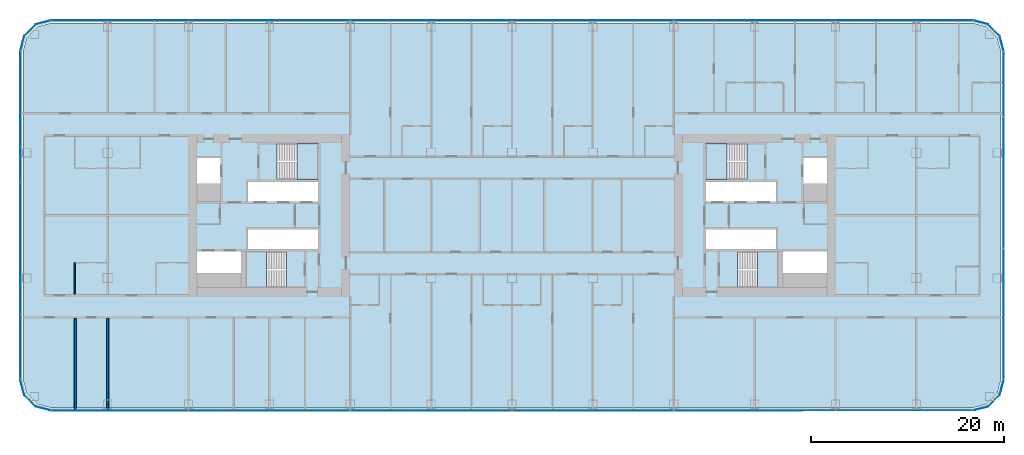
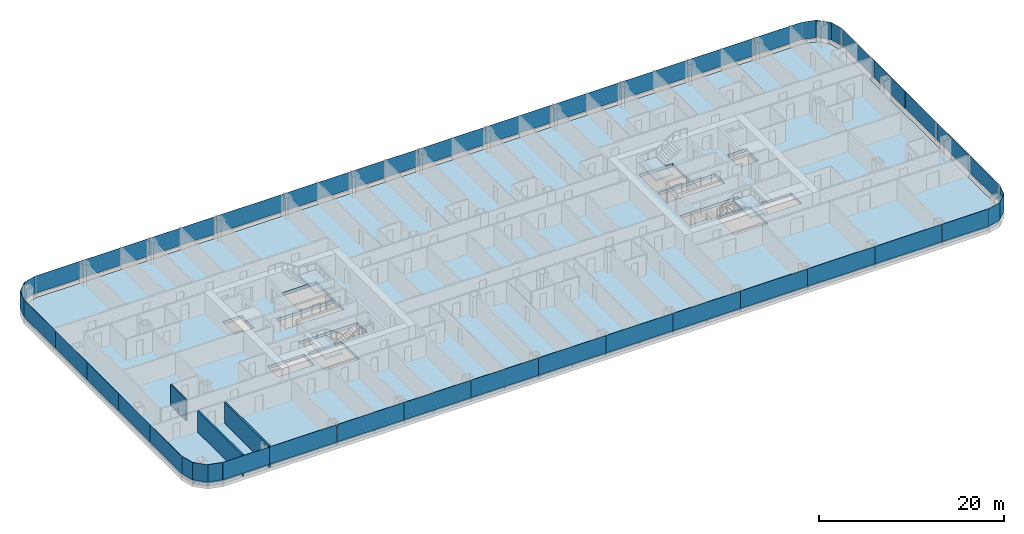
# One storey, part 12 of 28: 38 plates, 5 slabs, 3 walls, 12 elements without a shape of their own.
"""IFC4 building model written with IfcOpenShell, lengths in metres."""

from ifc_helpers import new_model, si_unit, direction, frame, frame_2d, origin, origin_2d, place, context, subcontext, project, spatial, polyline, rectangle, outline, extrude, material, layer, layer_set, type_object, element, aggregate, save


model = new_model("IFC4")

# Units and contexts
model_context = context("Model", 3, precision=1e-05, world=origin(), true_north=direction((0.0, 1.0)))
body_context = subcontext(model_context, "Body", "Model", "MODEL_VIEW")
ifc_project = project(units=[si_unit("LENGTHUNIT", "METRE"), si_unit("AREAUNIT", "SQUARE_METRE"), si_unit("VOLUMEUNIT", "CUBIC_METRE"), si_unit("PLANEANGLEUNIT", "RADIAN"), si_unit("MASSUNIT", "GRAM", prefix="KILO")], contexts=[model_context])

# Site, building, storey
site_placement = place(None, origin())
site = spatial("IfcSite", under=ifc_project, at=site_placement, CompositionType="ELEMENT")
building_placement = place(site_placement, origin())
building = spatial("IfcBuilding", under=site, at=building_placement, Name="Hakoniwa Tower and Hamabe Station Hall", CompositionType="ELEMENT")
storey_placement = place(building_placement, frame((0.0, 0.0, 48.60009765625)))
storey = spatial("IfcBuildingStorey", under=building, at=storey_placement, Name="L13", CompositionType="ELEMENT", Elevation=48.60009765625)

# Stair, slab
ifc_material_1 = material(Name="Concrete C40", Category="concrete")
stair_type = type_object("IfcStairType", Name="ESCAPE STAIR 1800", PredefinedType="HALF_TURN_STAIR", material=ifc_material_1)
stair_1_placement = place(storey_placement, origin())
stair_1 = element("IfcStair", 1, at=stair_1_placement, inside=storey, type_object=stair_type, Name="Escape stair ST-1 L13", PredefinedType="HALF_TURN_STAIR")
ifc_material_2 = material(Name="Concrete C40", Category="concrete")
ifc_layer_1 = layer(ifc_material_2, 0.25)
ifc_layer_set_1 = layer_set([ifc_layer_1], Name="CORE STAIR LANDING 250")
slab_type_1 = type_object("IfcSlabType", Name="CORE STAIR LANDING 250", PredefinedType="LANDING", material=ifc_layer_set_1)
slab_1_placement = place(storey_placement, frame((0.0, 0.0, 1.349853515625)))
slab_1 = element("IfcSlab", 2, at=slab_1_placement, type_object=slab_type_1, Name="ST-1 landing 1", PredefinedType="LANDING", context=body_context, shape_type="SweptSolid", body=[
    extrude(outline(polyline([(-22.320068359375, 3.75), (-20.14990234375, 3.75), (-20.14990234375, 7.5), (-22.320068359375, 7.5), (-22.320068359375, 3.75)])), origin(), (0.0, 0.0, 1.0), 0.25),
])
aggregate(stair_1, [slab_1])

stair_2_placement = place(storey_placement, origin())
stair_2 = element("IfcStair", 3, at=stair_2_placement, inside=storey, type_object=stair_type, Name="Escape stair ST-2 L13", PredefinedType="HALF_TURN_STAIR")
slab_2_placement = place(storey_placement, frame((0.0, 0.0, 1.349853515625)))
slab_2 = element("IfcSlab", 4, at=slab_2_placement, type_object=slab_type_1, Name="ST-2 landing 1", PredefinedType="LANDING", context=body_context, shape_type="SweptSolid", body=[
    extrude(outline(polyline([(-25.47998046875, -7.5), (-27.64990234375, -7.5), (-27.64990234375, -3.75), (-25.47998046875, -3.75), (-25.47998046875, -7.5)])), origin(), (0.0, 0.0, 1.0), 0.25),
])
aggregate(stair_2, [slab_2])

stair_3_placement = place(storey_placement, origin())
stair_3 = element("IfcStair", 5, at=stair_3_placement, inside=storey, type_object=stair_type, Name="Escape stair ST-3 L13", PredefinedType="HALF_TURN_STAIR")
slab_3_placement = place(storey_placement, frame((0.0, 0.0, 1.349853515625)))
slab_3 = element("IfcSlab", 6, at=slab_3_placement, type_object=slab_type_1, Name="ST-3 landing 1", PredefinedType="LANDING", context=body_context, shape_type="SweptSolid", body=[
    extrude(outline(polyline([(22.320068359375, 3.75), (20.14990234375, 3.75), (20.14990234375, 7.5), (22.320068359375, 7.5), (22.320068359375, 3.75)])), origin(), (0.0, 0.0, 1.0), 0.25),
])
aggregate(stair_3, [slab_3])

stair_4_placement = place(storey_placement, origin())
stair_4 = element("IfcStair", 7, at=stair_4_placement, inside=storey, type_object=stair_type, Name="Escape stair ST-4 L13", PredefinedType="HALF_TURN_STAIR")
slab_4_placement = place(storey_placement, frame((0.0, 0.0, 1.349853515625)))
slab_4 = element("IfcSlab", 8, at=slab_4_placement, type_object=slab_type_1, Name="ST-4 landing 1", PredefinedType="LANDING", context=body_context, shape_type="SweptSolid", body=[
    extrude(outline(polyline([(25.47998046875, -7.5), (27.64990234375, -7.5), (27.64990234375, -3.75), (25.47998046875, -3.75), (25.47998046875, -7.5)])), origin(), (0.0, 0.0, 1.0), 0.25),
])
aggregate(stair_4, [slab_4])

# Curtain wall, plates
ifc_material_3 = material(Name="Dark low-e laminated glass", Category="glass")
ifc_layer_2 = layer(ifc_material_3, 0.199951171875)
ifc_layer_set_2 = layer_set([ifc_layer_2], Name="CW-1 UNITISED GUEST")
curtain_wall_type = type_object("IfcCurtainWallType", Name="CW-1 UNITISED GUEST", PredefinedType="NOTDEFINED", material=ifc_layer_set_2)
curtain_wall_1_placement = place(storey_placement, origin())
curtain_wall_1 = element("IfcCurtainWall", 9, at=curtain_wall_1_placement, inside=storey, type_object=curtain_wall_type, Name="CW-1 curtain wall", PredefinedType="NOTDEFINED")
ifc_material_4 = material(Name="Dark low-e laminated glass", Category="glass")
ifc_layer_3 = layer(ifc_material_4, 0.028076171875)
ifc_layer_set_3 = layer_set([ifc_layer_3], Name="CW-1 GLASS UNIT")
plate_type = type_object("IfcPlateType", Name="CW-1 GLASS UNIT", PredefinedType="CURTAIN_PANEL", material=ifc_layer_set_3)
plate_1_placement = place(storey_placement, frame((51.0859375, -13.631591796875, 0.35009765625), z_axis=(0.0, 0.0, 1.0), x_axis=(0.0, 1.0, 0.0)))
plate_1 = element("IfcPlate", 10, at=plate_1_placement, type_object=plate_type, Name="CW-1 glass unit", PredefinedType="CURTAIN_PANEL", context=body_context, shape_type="SweptSolid", body=[
    extrude(rectangle(XDim=6.7958984375, YDim=0.028076171875, at=origin_2d()), origin(), (0.0, 0.0, 1.0), 2.300048828125),
])
plate_2_placement = place(storey_placement, frame((51.0859375, -6.81591796875, 0.35009765625), z_axis=(0.0, 0.0, 1.0), x_axis=(0.0, 1.0, 0.0)))
plate_2 = element("IfcPlate", 11, at=plate_2_placement, type_object=plate_type, Name="CW-1 glass unit", PredefinedType="CURTAIN_PANEL", context=body_context, shape_type="SweptSolid", body=[
    extrude(rectangle(XDim=6.7958984375, YDim=0.028076171875, at=origin_2d()), origin(), (0.0, 0.0, 1.0), 2.300048828125),
])
plate_3_placement = place(storey_placement, frame((51.0859375, 0.0, 0.35009765625), z_axis=(0.0, 0.0, 1.0), x_axis=(0.0, 1.0, 0.0)))
plate_3 = element("IfcPlate", 12, at=plate_3_placement, type_object=plate_type, Name="CW-1 glass unit", PredefinedType="CURTAIN_PANEL", context=body_context, shape_type="SweptSolid", body=[
    extrude(rectangle(XDim=6.7958984375, YDim=0.028076171875, at=origin_2d()), origin(), (0.0, 0.0, 1.0), 2.300048828125),
])
plate_4_placement = place(storey_placement, frame((51.0859375, 6.81591796875, 0.35009765625), z_axis=(0.0, 0.0, 1.0), x_axis=(0.0, 1.0, 0.0)))
plate_4 = element("IfcPlate", 13, at=plate_4_placement, type_object=plate_type, Name="CW-1 glass unit", PredefinedType="CURTAIN_PANEL", context=body_context, shape_type="SweptSolid", body=[
    extrude(rectangle(XDim=6.7958984375, YDim=0.028076171875, at=origin_2d()), origin(), (0.0, 0.0, 1.0), 2.300048828125),
])
plate_5_placement = place(storey_placement, frame((51.0859375, 13.631591796875, 0.35009765625), z_axis=(0.0, 0.0, 1.0), x_axis=(0.0, 1.0, 0.0)))
plate_5 = element("IfcPlate", 14, at=plate_5_placement, type_object=plate_type, Name="CW-1 glass unit", PredefinedType="CURTAIN_PANEL", context=body_context, shape_type="SweptSolid", body=[
    extrude(rectangle(XDim=6.7958984375, YDim=0.028076171875, at=origin_2d()), origin(), (0.0, 0.0, 1.0), 2.300048828125),
])
aggregate(curtain_wall_1, [plate_1, plate_2, plate_3, plate_4, plate_5])

# Curtain wall, plate
curtain_wall_2_placement = place(storey_placement, origin())
curtain_wall_2 = element("IfcCurtainWall", 15, at=curtain_wall_2_placement, inside=storey, type_object=curtain_wall_type, Name="CW-1 curtain wall", PredefinedType="NOTDEFINED")
plate_6_placement = place(storey_placement, frame((0.0, 0.0, 0.349853515625)))
plate_6 = element("IfcPlate", 16, at=plate_6_placement, type_object=plate_type, Name="CW-1 curved corner unit", PredefinedType="CURTAIN_PANEL", context=body_context, shape_type="SweptSolid", body=[
    extrude(outline(polyline([(51.089599609375, 17.078125), (50.6669921875, 18.6552734375), (49.455322265625, 19.866943359375), (47.878173828125, 20.28955078125), (47.870849609375, 20.2626953125), (49.44091796875, 19.842041015625), (50.641845703125, 18.640869140625), (51.0625, 17.07080078125), (51.089599609375, 17.078125)])), origin(), (0.0, 0.0, 1.0), 2.300048828125),
])
aggregate(curtain_wall_2, [plate_6])

# Curtain wall, plates
curtain_wall_3_placement = place(storey_placement, origin())
curtain_wall_3 = element("IfcCurtainWall", 17, at=curtain_wall_3_placement, inside=storey, type_object=curtain_wall_type, Name="CW-1 curtain wall", PredefinedType="NOTDEFINED")
plate_7_placement = place(storey_placement, frame((44.919677734375, 20.285888671875, 0.35009765625), z_axis=(0.0, 0.0, 1.0), x_axis=(-1.0, 0.0, 0.0)))
plate_7 = element("IfcPlate", 18, at=plate_7_placement, type_object=plate_type, Name="CW-1 glass unit", PredefinedType="CURTAIN_PANEL", context=body_context, shape_type="SweptSolid", body=[
    extrude(rectangle(XDim=5.819580078125, YDim=0.028076171875, at=origin_2d()), origin(), (0.0, 0.0, 1.0), 2.300048828125),
])
plate_8_placement = place(storey_placement, frame((37.800048828125, 20.285888671875, 0.35009765625), z_axis=(0.0, 0.0, 1.0), x_axis=(-1.0, 0.0, 0.0)))
plate_8 = element("IfcPlate", 19, at=plate_8_placement, type_object=plate_type, Name="CW-1 glass unit", PredefinedType="CURTAIN_PANEL", context=body_context, shape_type="SweptSolid", body=[
    extrude(rectangle(XDim=8.3798828125, YDim=0.028076171875, at=origin_2d()), origin(), (0.0, 0.0, 1.0), 2.300048828125),
])
plate_9_placement = place(storey_placement, frame((29.39990234375, 20.285888671875, 0.35009765625), z_axis=(0.0, 0.0, 1.0), x_axis=(-1.0, 0.0, 0.0)))
plate_9 = element("IfcPlate", 20, at=plate_9_placement, type_object=plate_type, Name="CW-1 glass unit", PredefinedType="CURTAIN_PANEL", context=body_context, shape_type="SweptSolid", body=[
    extrude(rectangle(XDim=8.3798828125, YDim=0.028076171875, at=origin_2d()), origin(), (0.0, 0.0, 1.0), 2.300048828125),
])
plate_10_placement = place(storey_placement, frame((21.0, 20.285888671875, 0.35009765625), z_axis=(0.0, 0.0, 1.0), x_axis=(-1.0, 0.0, 0.0)))
plate_10 = element("IfcPlate", 21, at=plate_10_placement, type_object=plate_type, Name="CW-1 glass unit", PredefinedType="CURTAIN_PANEL", context=body_context, shape_type="SweptSolid", body=[
    extrude(rectangle(XDim=8.3798828125, YDim=0.028076171875, at=origin_2d()), origin(), (0.0, 0.0, 1.0), 2.300048828125),
])
plate_11_placement = place(storey_placement, frame((12.60009765625, 20.285888671875, 0.35009765625), z_axis=(0.0, 0.0, 1.0), x_axis=(-1.0, 0.0, 0.0)))
plate_11 = element("IfcPlate", 22, at=plate_11_placement, type_object=plate_type, Name="CW-1 glass unit", PredefinedType="CURTAIN_PANEL", context=body_context, shape_type="SweptSolid", body=[
    extrude(rectangle(XDim=8.3798828125, YDim=0.028076171875, at=origin_2d()), origin(), (0.0, 0.0, 1.0), 2.300048828125),
])
plate_12_placement = place(storey_placement, frame((4.199951171875, 20.285888671875, 0.35009765625), z_axis=(0.0, 0.0, 1.0), x_axis=(-1.0, 0.0, 0.0)))
plate_12 = element("IfcPlate", 23, at=plate_12_placement, type_object=plate_type, Name="CW-1 glass unit", PredefinedType="CURTAIN_PANEL", context=body_context, shape_type="SweptSolid", body=[
    extrude(rectangle(XDim=8.3798828125, YDim=0.028076171875, at=origin_2d()), origin(), (0.0, 0.0, 1.0), 2.300048828125),
])
plate_13_placement = place(storey_placement, frame((-4.199951171875, 20.285888671875, 0.35009765625), z_axis=(0.0, 0.0, 1.0), x_axis=(-1.0, 0.0, 0.0)))
plate_13 = element("IfcPlate", 24, at=plate_13_placement, type_object=plate_type, Name="CW-1 glass unit", PredefinedType="CURTAIN_PANEL", context=body_context, shape_type="SweptSolid", body=[
    extrude(rectangle(XDim=8.3798828125, YDim=0.028076171875, at=origin_2d()), origin(), (0.0, 0.0, 1.0), 2.300048828125),
])
plate_14_placement = place(storey_placement, frame((-12.60009765625, 20.285888671875, 0.35009765625), z_axis=(0.0, 0.0, 1.0), x_axis=(-1.0, 0.0, 0.0)))
plate_14 = element("IfcPlate", 25, at=plate_14_placement, type_object=plate_type, Name="CW-1 glass unit", PredefinedType="CURTAIN_PANEL", context=body_context, shape_type="SweptSolid", body=[
    extrude(rectangle(XDim=8.3798828125, YDim=0.028076171875, at=origin_2d()), origin(), (0.0, 0.0, 1.0), 2.300048828125),
])
plate_15_placement = place(storey_placement, frame((-21.0, 20.285888671875, 0.35009765625), z_axis=(0.0, 0.0, 1.0), x_axis=(-1.0, 0.0, 0.0)))
plate_15 = element("IfcPlate", 26, at=plate_15_placement, type_object=plate_type, Name="CW-1 glass unit", PredefinedType="CURTAIN_PANEL", context=body_context, shape_type="SweptSolid", body=[
    extrude(rectangle(XDim=8.3798828125, YDim=0.028076171875, at=origin_2d()), origin(), (0.0, 0.0, 1.0), 2.300048828125),
])
plate_16_placement = place(storey_placement, frame((-29.39990234375, 20.285888671875, 0.35009765625), z_axis=(0.0, 0.0, 1.0), x_axis=(-1.0, 0.0, 0.0)))
plate_16 = element("IfcPlate", 27, at=plate_16_placement, type_object=plate_type, Name="CW-1 glass unit", PredefinedType="CURTAIN_PANEL", context=body_context, shape_type="SweptSolid", body=[
    extrude(rectangle(XDim=8.3798828125, YDim=0.028076171875, at=origin_2d()), origin(), (0.0, 0.0, 1.0), 2.300048828125),
])
plate_17_placement = place(storey_placement, frame((-37.800048828125, 20.285888671875, 0.35009765625), z_axis=(0.0, 0.0, 1.0), x_axis=(-1.0, 0.0, 0.0)))
plate_17 = element("IfcPlate", 28, at=plate_17_placement, type_object=plate_type, Name="CW-1 glass unit", PredefinedType="CURTAIN_PANEL", context=body_context, shape_type="SweptSolid", body=[
    extrude(rectangle(XDim=8.3798828125, YDim=0.028076171875, at=origin_2d()), origin(), (0.0, 0.0, 1.0), 2.300048828125),
])
plate_18_placement = place(storey_placement, frame((-44.919677734375, 20.285888671875, 0.35009765625), z_axis=(0.0, 0.0, 1.0), x_axis=(-1.0, 0.0, 0.0)))
plate_18 = element("IfcPlate", 29, at=plate_18_placement, type_object=plate_type, Name="CW-1 glass unit", PredefinedType="CURTAIN_PANEL", context=body_context, shape_type="SweptSolid", body=[
    extrude(rectangle(XDim=5.819580078125, YDim=0.028076171875, at=origin_2d()), origin(), (0.0, 0.0, 1.0), 2.300048828125),
])
aggregate(curtain_wall_3, [plate_7, plate_8, plate_9, plate_10, plate_11, plate_12, plate_13, plate_14, plate_15, plate_16, plate_17, plate_18])

# Curtain wall, plate
curtain_wall_4_placement = place(storey_placement, origin())
curtain_wall_4 = element("IfcCurtainWall", 30, at=curtain_wall_4_placement, inside=storey, type_object=curtain_wall_type, Name="CW-1 curtain wall", PredefinedType="NOTDEFINED")
plate_19_placement = place(storey_placement, frame((0.0, 0.0, 0.349853515625)))
plate_19 = element("IfcPlate", 31, at=plate_19_placement, type_object=plate_type, Name="CW-1 curved corner unit", PredefinedType="CURTAIN_PANEL", context=body_context, shape_type="SweptSolid", body=[
    extrude(outline(polyline([(-47.878173828125, 20.28955078125), (-49.455322265625, 19.866943359375), (-50.6669921875, 18.6552734375), (-51.089599609375, 17.078125), (-51.0625, 17.07080078125), (-50.641845703125, 18.640869140625), (-49.44091796875, 19.842041015625), (-47.870849609375, 20.2626953125), (-47.878173828125, 20.28955078125)])), origin(), (0.0, 0.0, 1.0), 2.300048828125),
])
aggregate(curtain_wall_4, [plate_19])

# Curtain wall, plates
curtain_wall_5_placement = place(storey_placement, origin())
curtain_wall_5 = element("IfcCurtainWall", 32, at=curtain_wall_5_placement, inside=storey, type_object=curtain_wall_type, Name="CW-1 curtain wall", PredefinedType="NOTDEFINED")
plate_20_placement = place(storey_placement, frame((-51.0859375, 13.631591796875, 0.35009765625), z_axis=(0.0, 0.0, 1.0), x_axis=(0.0, -1.0, 0.0)))
plate_20 = element("IfcPlate", 33, at=plate_20_placement, type_object=plate_type, Name="CW-1 glass unit", PredefinedType="CURTAIN_PANEL", context=body_context, shape_type="SweptSolid", body=[
    extrude(rectangle(XDim=6.7958984375, YDim=0.028076171875, at=origin_2d()), origin(), (0.0, 0.0, 1.0), 2.300048828125),
])
plate_21_placement = place(storey_placement, frame((-51.0859375, 6.81591796875, 0.35009765625), z_axis=(0.0, 0.0, 1.0), x_axis=(0.0, -1.0, 0.0)))
plate_21 = element("IfcPlate", 34, at=plate_21_placement, type_object=plate_type, Name="CW-1 glass unit", PredefinedType="CURTAIN_PANEL", context=body_context, shape_type="SweptSolid", body=[
    extrude(rectangle(XDim=6.7958984375, YDim=0.028076171875, at=origin_2d()), origin(), (0.0, 0.0, 1.0), 2.300048828125),
])
plate_22_placement = place(storey_placement, frame((-51.0859375, 0.0, 0.35009765625), z_axis=(0.0, 0.0, 1.0), x_axis=(0.0, -1.0, 0.0)))
plate_22 = element("IfcPlate", 35, at=plate_22_placement, type_object=plate_type, Name="CW-1 glass unit", PredefinedType="CURTAIN_PANEL", context=body_context, shape_type="SweptSolid", body=[
    extrude(rectangle(XDim=6.7958984375, YDim=0.028076171875, at=origin_2d()), origin(), (0.0, 0.0, 1.0), 2.300048828125),
])
plate_23_placement = place(storey_placement, frame((-51.0859375, -6.81591796875, 0.35009765625), z_axis=(0.0, 0.0, 1.0), x_axis=(0.0, -1.0, 0.0)))
plate_23 = element("IfcPlate", 36, at=plate_23_placement, type_object=plate_type, Name="CW-1 glass unit", PredefinedType="CURTAIN_PANEL", context=body_context, shape_type="SweptSolid", body=[
    extrude(rectangle(XDim=6.7958984375, YDim=0.028076171875, at=origin_2d()), origin(), (0.0, 0.0, 1.0), 2.300048828125),
])
plate_24_placement = place(storey_placement, frame((-51.0859375, -13.631591796875, 0.35009765625), z_axis=(0.0, 0.0, 1.0), x_axis=(0.0, -1.0, 0.0)))
plate_24 = element("IfcPlate", 37, at=plate_24_placement, type_object=plate_type, Name="CW-1 glass unit", PredefinedType="CURTAIN_PANEL", context=body_context, shape_type="SweptSolid", body=[
    extrude(rectangle(XDim=6.7958984375, YDim=0.028076171875, at=origin_2d()), origin(), (0.0, 0.0, 1.0), 2.300048828125),
])
aggregate(curtain_wall_5, [plate_20, plate_21, plate_22, plate_23, plate_24])

# Curtain wall, plate
curtain_wall_6_placement = place(storey_placement, origin())
curtain_wall_6 = element("IfcCurtainWall", 38, at=curtain_wall_6_placement, inside=storey, type_object=curtain_wall_type, Name="CW-1 curtain wall", PredefinedType="NOTDEFINED")
plate_25_placement = place(storey_placement, frame((0.0, 0.0, 0.349853515625)))
plate_25 = element("IfcPlate", 39, at=plate_25_placement, type_object=plate_type, Name="CW-1 curved corner unit", PredefinedType="CURTAIN_PANEL", context=body_context, shape_type="SweptSolid", body=[
    extrude(outline(polyline([(-51.089599609375, -17.078125), (-50.6669921875, -18.6552734375), (-49.455322265625, -19.866943359375), (-47.878173828125, -20.28955078125), (-47.870849609375, -20.2626953125), (-49.44091796875, -19.842041015625), (-50.641845703125, -18.640869140625), (-51.0625, -17.07080078125), (-51.089599609375, -17.078125)])), origin(), (0.0, 0.0, 1.0), 2.300048828125),
])
aggregate(curtain_wall_6, [plate_25])

# Curtain wall, plates
curtain_wall_7_placement = place(storey_placement, origin())
curtain_wall_7 = element("IfcCurtainWall", 40, at=curtain_wall_7_placement, inside=storey, type_object=curtain_wall_type, Name="CW-1 curtain wall", PredefinedType="NOTDEFINED")
plate_26_placement = place(storey_placement, frame((-44.919677734375, -20.285888671875, 0.35009765625), z_axis=(0.0, 0.0, 1.0), x_axis=(1.0, 0.0, 0.0)))
plate_26 = element("IfcPlate", 41, at=plate_26_placement, type_object=plate_type, Name="CW-1 glass unit", PredefinedType="CURTAIN_PANEL", context=body_context, shape_type="SweptSolid", body=[
    extrude(rectangle(XDim=5.819580078125, YDim=0.028076171875, at=origin_2d()), origin(), (0.0, 0.0, 1.0), 2.300048828125),
])
plate_27_placement = place(storey_placement, frame((-37.800048828125, -20.285888671875, 0.35009765625), z_axis=(0.0, 0.0, 1.0), x_axis=(1.0, 0.0, 0.0)))
plate_27 = element("IfcPlate", 42, at=plate_27_placement, type_object=plate_type, Name="CW-1 glass unit", PredefinedType="CURTAIN_PANEL", context=body_context, shape_type="SweptSolid", body=[
    extrude(rectangle(XDim=8.3798828125, YDim=0.028076171875, at=origin_2d()), origin(), (0.0, 0.0, 1.0), 2.300048828125),
])
plate_28_placement = place(storey_placement, frame((-29.39990234375, -20.285888671875, 0.35009765625), z_axis=(0.0, 0.0, 1.0), x_axis=(1.0, 0.0, 0.0)))
plate_28 = element("IfcPlate", 43, at=plate_28_placement, type_object=plate_type, Name="CW-1 glass unit", PredefinedType="CURTAIN_PANEL", context=body_context, shape_type="SweptSolid", body=[
    extrude(rectangle(XDim=8.3798828125, YDim=0.028076171875, at=origin_2d()), origin(), (0.0, 0.0, 1.0), 2.300048828125),
])
plate_29_placement = place(storey_placement, frame((-21.0, -20.285888671875, 0.35009765625), z_axis=(0.0, 0.0, 1.0), x_axis=(1.0, 0.0, 0.0)))
plate_29 = element("IfcPlate", 44, at=plate_29_placement, type_object=plate_type, Name="CW-1 glass unit", PredefinedType="CURTAIN_PANEL", context=body_context, shape_type="SweptSolid", body=[
    extrude(rectangle(XDim=8.3798828125, YDim=0.028076171875, at=origin_2d()), origin(), (0.0, 0.0, 1.0), 2.300048828125),
])
plate_30_placement = place(storey_placement, frame((-12.60009765625, -20.285888671875, 0.35009765625), z_axis=(0.0, 0.0, 1.0), x_axis=(1.0, 0.0, 0.0)))
plate_30 = element("IfcPlate", 45, at=plate_30_placement, type_object=plate_type, Name="CW-1 glass unit", PredefinedType="CURTAIN_PANEL", context=body_context, shape_type="SweptSolid", body=[
    extrude(rectangle(XDim=8.3798828125, YDim=0.028076171875, at=origin_2d()), origin(), (0.0, 0.0, 1.0), 2.300048828125),
])
plate_31_placement = place(storey_placement, frame((-4.199951171875, -20.285888671875, 0.35009765625), z_axis=(0.0, 0.0, 1.0), x_axis=(1.0, 0.0, 0.0)))
plate_31 = element("IfcPlate", 46, at=plate_31_placement, type_object=plate_type, Name="CW-1 glass unit", PredefinedType="CURTAIN_PANEL", context=body_context, shape_type="SweptSolid", body=[
    extrude(rectangle(XDim=8.3798828125, YDim=0.028076171875, at=origin_2d()), origin(), (0.0, 0.0, 1.0), 2.300048828125),
])
plate_32_placement = place(storey_placement, frame((4.199951171875, -20.285888671875, 0.35009765625), z_axis=(0.0, 0.0, 1.0), x_axis=(1.0, 0.0, 0.0)))
plate_32 = element("IfcPlate", 47, at=plate_32_placement, type_object=plate_type, Name="CW-1 glass unit", PredefinedType="CURTAIN_PANEL", context=body_context, shape_type="SweptSolid", body=[
    extrude(rectangle(XDim=8.3798828125, YDim=0.028076171875, at=origin_2d()), origin(), (0.0, 0.0, 1.0), 2.300048828125),
])
plate_33_placement = place(storey_placement, frame((12.60009765625, -20.285888671875, 0.35009765625), z_axis=(0.0, 0.0, 1.0), x_axis=(1.0, 0.0, 0.0)))
plate_33 = element("IfcPlate", 48, at=plate_33_placement, type_object=plate_type, Name="CW-1 glass unit", PredefinedType="CURTAIN_PANEL", context=body_context, shape_type="SweptSolid", body=[
    extrude(rectangle(XDim=8.3798828125, YDim=0.028076171875, at=origin_2d()), origin(), (0.0, 0.0, 1.0), 2.300048828125),
])
plate_34_placement = place(storey_placement, frame((21.0, -20.285888671875, 0.35009765625), z_axis=(0.0, 0.0, 1.0), x_axis=(1.0, 0.0, 0.0)))
plate_34 = element("IfcPlate", 49, at=plate_34_placement, type_object=plate_type, Name="CW-1 glass unit", PredefinedType="CURTAIN_PANEL", context=body_context, shape_type="SweptSolid", body=[
    extrude(rectangle(XDim=8.3798828125, YDim=0.028076171875, at=origin_2d()), origin(), (0.0, 0.0, 1.0), 2.300048828125),
])
plate_35_placement = place(storey_placement, frame((29.39990234375, -20.285888671875, 0.35009765625), z_axis=(0.0, 0.0, 1.0), x_axis=(1.0, 0.0, 0.0)))
plate_35 = element("IfcPlate", 50, at=plate_35_placement, type_object=plate_type, Name="CW-1 glass unit", PredefinedType="CURTAIN_PANEL", context=body_context, shape_type="SweptSolid", body=[
    extrude(rectangle(XDim=8.3798828125, YDim=0.028076171875, at=origin_2d()), origin(), (0.0, 0.0, 1.0), 2.300048828125),
])
plate_36_placement = place(storey_placement, frame((37.800048828125, -20.285888671875, 0.35009765625), z_axis=(0.0, 0.0, 1.0), x_axis=(1.0, 0.0, 0.0)))
plate_36 = element("IfcPlate", 51, at=plate_36_placement, type_object=plate_type, Name="CW-1 glass unit", PredefinedType="CURTAIN_PANEL", context=body_context, shape_type="SweptSolid", body=[
    extrude(rectangle(XDim=8.3798828125, YDim=0.028076171875, at=origin_2d()), origin(), (0.0, 0.0, 1.0), 2.300048828125),
])
plate_37_placement = place(storey_placement, frame((44.919677734375, -20.285888671875, 0.35009765625), z_axis=(0.0, 0.0, 1.0), x_axis=(1.0, 0.0, 0.0)))
plate_37 = element("IfcPlate", 52, at=plate_37_placement, type_object=plate_type, Name="CW-1 glass unit", PredefinedType="CURTAIN_PANEL", context=body_context, shape_type="SweptSolid", body=[
    extrude(rectangle(XDim=5.819580078125, YDim=0.028076171875, at=origin_2d()), origin(), (0.0, 0.0, 1.0), 2.300048828125),
])
aggregate(curtain_wall_7, [plate_26, plate_27, plate_28, plate_29, plate_30, plate_31, plate_32, plate_33, plate_34, plate_35, plate_36, plate_37])

# Curtain wall, plate
curtain_wall_8_placement = place(storey_placement, origin())
curtain_wall_8 = element("IfcCurtainWall", 53, at=curtain_wall_8_placement, inside=storey, type_object=curtain_wall_type, Name="CW-1 curtain wall", PredefinedType="NOTDEFINED")
plate_38_placement = place(storey_placement, frame((0.0, 0.0, 0.349853515625)))
plate_38 = element("IfcPlate", 54, at=plate_38_placement, type_object=plate_type, Name="CW-1 curved corner unit", PredefinedType="CURTAIN_PANEL", context=body_context, shape_type="SweptSolid", body=[
    extrude(outline(polyline([(47.878173828125, -20.28955078125), (49.455322265625, -19.866943359375), (50.6669921875, -18.6552734375), (51.089599609375, -17.078125), (51.0625, -17.07080078125), (50.641845703125, -18.640869140625), (49.44091796875, -19.842041015625), (47.870849609375, -20.2626953125), (47.878173828125, -20.28955078125)])), origin(), (0.0, 0.0, 1.0), 2.300048828125),
])
aggregate(curtain_wall_8, [plate_38])

# Slab
ifc_material_5 = material(Name="Concrete C42", Category="concrete")
ifc_layer_4 = layer(ifc_material_5, 0.39990234375)
ifc_layer_set_4 = layer_set([ifc_layer_4], Name="PT FLAT PLATE 400")
slab_type_2 = type_object("IfcSlabType", Name="PT FLAT PLATE 400", PredefinedType="FLOOR", material=ifc_layer_set_4)
slab_5_placement = place(storey_placement, frame((0.0, 0.0, -0.400146484375)))
element("IfcSlab", 55, at=slab_5_placement, inside=storey, type_object=slab_type_2, Name="Floor slab L13", PredefinedType="FLOOR", context=body_context, shape_type="SweptSolid", body=[
    extrude(outline(polyline([(50.800048828125, -17.0), (50.800048828125, 17.0), (50.398193359375, 18.5), (49.300048828125, 19.59814453125), (47.800048828125, 20.0), (-47.800048828125, 20.0), (-49.300048828125, 19.59814453125), (-50.398193359375, 18.5), (-50.800048828125, 17.0), (-50.800048828125, -17.0), (-50.398193359375, -18.5), (-49.300048828125, -19.59814453125), (-47.800048828125, -20.0), (47.800048828125, -20.0), (49.300048828125, -19.59814453125), (50.398193359375, -18.5), (50.800048828125, -17.0)]), holes=[polyline([(-27.39990234375, 1.449951171875), (-27.39990234375, 3.5), (-20.14990234375, 3.5), (-20.14990234375, 1.449951171875), (-27.39990234375, 1.449951171875)]), polyline([(-27.39990234375, -3.5), (-27.39990234375, -1.449951171875), (-20.14990234375, -1.449951171875), (-20.14990234375, -3.5), (-27.39990234375, -3.5)]), polyline([(-32.699951171875, 3.300048828125), (-32.699951171875, 5.949951171875), (-30.300048828125, 5.949951171875), (-30.300048828125, 3.300048828125), (-32.699951171875, 3.300048828125)]), polyline([(-32.699951171875, -6.0), (-32.699951171875, -3.75), (-28.14990234375, -3.75), (-28.14990234375, -6.0), (-32.699951171875, -6.0)]), polyline([(-24.389892578125, 3.75), (-24.389892578125, 7.5), (-20.14990234375, 7.5), (-20.14990234375, 3.75), (-24.389892578125, 3.75)]), polyline([(-27.64990234375, -7.5), (-27.64990234375, -3.75), (-23.409912109375, -3.75), (-23.409912109375, -7.5), (-27.64990234375, -7.5)]), polyline([(20.14990234375, 1.449951171875), (20.14990234375, 3.5), (27.39990234375, 3.5), (27.39990234375, 1.449951171875), (20.14990234375, 1.449951171875)]), polyline([(20.14990234375, -3.5), (20.14990234375, -1.449951171875), (27.39990234375, -1.449951171875), (27.39990234375, -3.5), (20.14990234375, -3.5)]), polyline([(30.300048828125, 3.300048828125), (30.300048828125, 5.949951171875), (32.699951171875, 5.949951171875), (32.699951171875, 3.300048828125), (30.300048828125, 3.300048828125)]), polyline([(28.14990234375, -6.0), (28.14990234375, -3.75), (32.699951171875, -3.75), (32.699951171875, -6.0), (28.14990234375, -6.0)]), polyline([(20.14990234375, 3.75), (20.14990234375, 7.5), (24.389892578125, 7.5), (24.389892578125, 3.75), (20.14990234375, 3.75)]), polyline([(23.409912109375, -7.5), (23.409912109375, -3.75), (27.64990234375, -3.75), (27.64990234375, -7.5), (23.409912109375, -7.5)])]), origin(), (0.0, 0.0, 1.0), 0.400146484375),
])

# Walls
ifc_material_6 = material(Name="Gypsum board partition", Category="gypsum")
ifc_layer_5 = layer(ifc_material_6, 0.125)
ifc_layer_set_5 = layer_set([ifc_layer_5], Name="Bathroom Partition 125")
wall_type_1 = type_object("IfcWallType", Name="Bathroom Partition 125", PredefinedType="PARTITIONING", material=ifc_layer_set_5)
wall_placement = place(storey_placement, frame((-45.39990234375, -8.199951171875, 0.0), z_axis=(0.0, 0.0, 1.0), x_axis=(0.0, 1.0, 0.0)))
element("IfcWall", 56, at=wall_placement, inside=storey, type_object=wall_type_1, Name="GW-L13-033", PredefinedType="PARTITIONING", context=body_context, shape_type="SweptSolid", body=[
    extrude(rectangle(XDim=3.300048828125, YDim=0.125, at=frame_2d((1.64990234375, 0.0))), origin(), (0.0, 0.0, 1.0), 2.7998046875),
])
ifc_material_7 = material(Name="Fire-rated gypsum board partition", Category="gypsum")
ifc_layer_6 = layer(ifc_material_7, 0.199951171875)
ifc_layer_set_6 = layer_set([ifc_layer_6], Name="Party Wall 200")
wall_type_2 = type_object("IfcWallType", Name="Party Wall 200", PredefinedType="PARTITIONING", material=ifc_layer_set_6)
for number, where, z_axis, x_axis, name in (
    (57, (-45.340087890625, -20.300048828125, 0.0), (0.0, 0.0, 1.0), (0.0, 1.0, 0.0), "GW-L13-035"),
    (58, (-42.0, -20.300048828125, 0.0), (0.0, 0.0, 1.0), (0.0, 1.0, 0.0), "GW-L13-036"),
):
    element("IfcWall", number, at=place(storey_placement, frame(where, z_axis=z_axis, x_axis=x_axis)), inside=storey, type_object=wall_type_2, Name=name, PredefinedType="PARTITIONING", context=body_context, shape_type="SweptSolid", body=[
        extrude(rectangle(XDim=9.60009765625, YDim=0.199951171875, at=frame_2d((4.800048828125, 0.0))), origin(), (0.0, 0.0, 1.0), 2.7998046875),
    ])

save(model, "model.ifc")
